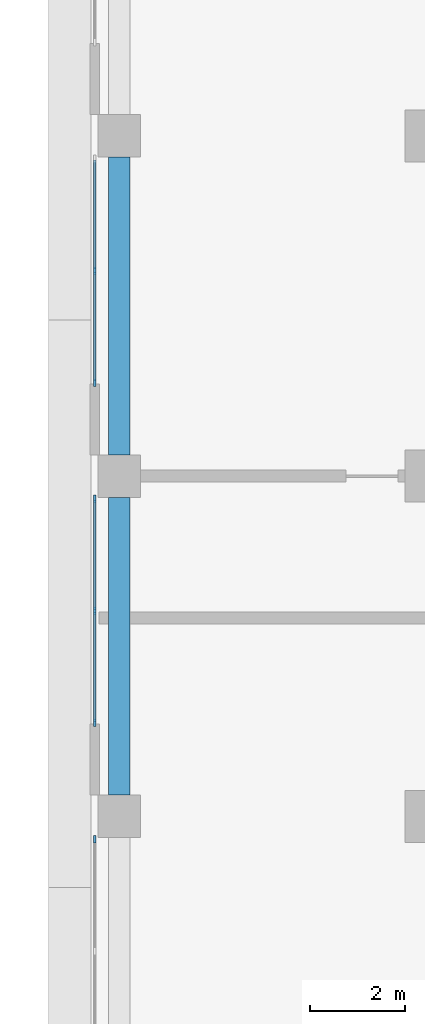
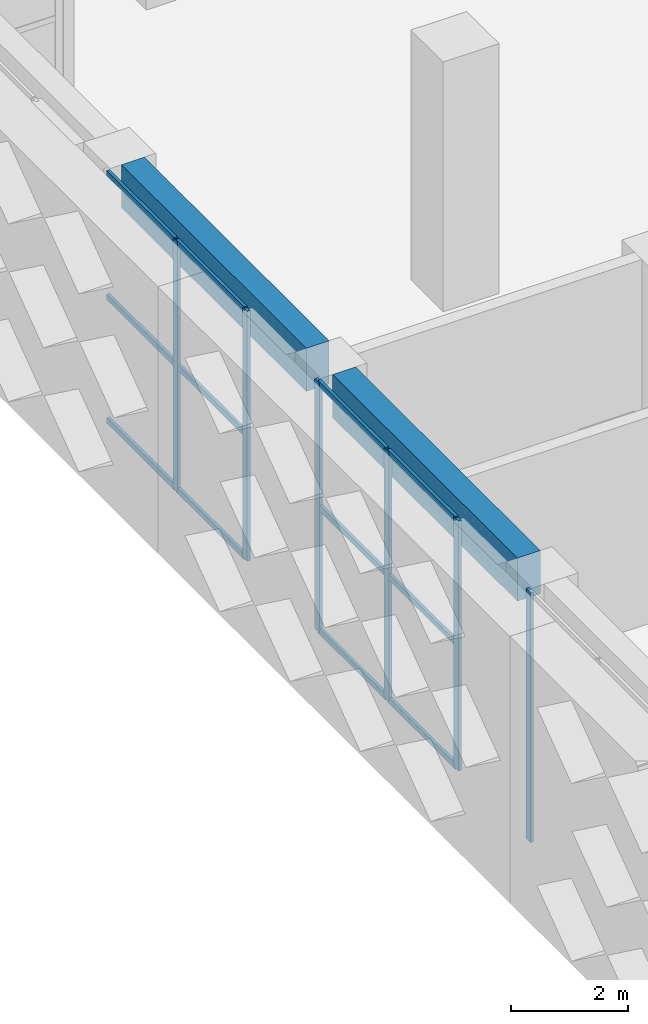
# One storey, part 4 of 25: 18 members, 2 beams, 3 elements without a shape of their own.
"""IFC4 building model written with IfcOpenShell, lengths in metres."""

from ifc_helpers import new_model, si_unit, direction, frame, origin, origin_2d, place, context, subcontext, project, spatial, rectangle, extrude, source, transform, mapped, material, layer, layer_set, material_profile, profile_set, type_object, element, aggregate, save


model = new_model("IFC4")

# Units and contexts
model_context = context("Model", 3, precision=1e-05, world=origin(), true_north=direction((0.0, 1.0)))
body_context = subcontext(model_context, "Body", "Model", "MODEL_VIEW")
ifc_project = project(units=[si_unit("LENGTHUNIT", "METRE"), si_unit("AREAUNIT", "SQUARE_METRE"), si_unit("VOLUMEUNIT", "CUBIC_METRE"), si_unit("PLANEANGLEUNIT", "RADIAN"), si_unit("MASSUNIT", "GRAM", prefix="KILO")], contexts=[model_context])

# Site, building, storey
site_placement = place(None, origin())
site = spatial("IfcSite", under=ifc_project, at=site_placement, CompositionType="ELEMENT")
building_placement = place(site_placement, origin())
building = spatial("IfcBuilding", under=site, at=building_placement, Name="Saffron Iwan Residences", CompositionType="ELEMENT")
storey_placement = place(building_placement, frame((0.0, 0.0, 137.5)))
storey = spatial("IfcBuildingStorey", under=building, at=storey_placement, Name="L36", CompositionType="ELEMENT", Elevation=137.5)

# Beams
ifc_material_1 = material(Name="Concrete C50/60", Category="concrete")
ifc_material_profile_1 = material_profile(ifc_material_1, rectangle(XDim=0.449951171875, YDim=0.89990234375, at=origin_2d()), Name="RC 450x900")
ifc_profile_set_1 = profile_set([ifc_material_profile_1], Name="Concrete C50/60")
beam_type = type_object("IfcBeamType", Name="SPANDREL BEAM RC 450x900 C50/60 TOP 5200", PredefinedType="SPANDREL", material=ifc_profile_set_1)
shared_shape_1 = source(origin(), body_context, "Body", "SweptSolid", [
    extrude(rectangle(XDim=0.449951171875, YDim=0.89990234375, at=origin_2d()), origin(), (0.0, 0.0, 1.0), 6.300048828125),
])
beam_1_placement = place(storey_placement, frame((15.0, 55.64990234375, 4.75), z_axis=(0.0, 1.0, 0.0), x_axis=(-1.0, 0.0, 0.0)))
element("IfcBeam", 1, at=beam_1_placement, inside=storey, type_object=beam_type, Name="Spandrel beam", PredefinedType="SPANDREL", context=body_context, shape_type="MappedRepresentation", body=[
    mapped(shared_shape_1, transform((0.0, 0.0, 0.0))),
])
shared_shape_2 = source(origin(), body_context, "Body", "SweptSolid", [
    extrude(rectangle(XDim=0.449951171875, YDim=0.89990234375, at=origin_2d()), origin(), (0.0, 0.0, 1.0), 6.2998046875),
])
beam_2_placement = place(storey_placement, frame((15.0, 62.85009765625, 4.75), z_axis=(0.0, 1.0, 0.0), x_axis=(-1.0, 0.0, 0.0)))
element("IfcBeam", 2, at=beam_2_placement, inside=storey, type_object=beam_type, Name="Spandrel beam", PredefinedType="SPANDREL", context=body_context, shape_type="MappedRepresentation", body=[
    mapped(shared_shape_2, transform((0.0, 0.0, 0.0))),
])

# Curtain wall, members
ifc_material_2 = material(Name="Clear glass, laminated double glazed", Category="glass")
ifc_layer = layer(ifc_material_2, 0.14990234375)
ifc_layer_set = layer_set([ifc_layer], Name="Clear glass, laminated double glazed")
curtain_wall_type = type_object("IfcCurtainWallType", Name="CW-C SKY LOBBY GLAZING", PredefinedType="NOTDEFINED", material=ifc_layer_set)
curtain_wall_1_placement = place(storey_placement, origin())
curtain_wall_1 = element("IfcCurtainWall", 3, at=curtain_wall_1_placement, inside=storey, type_object=curtain_wall_type, Name="Glazing L36 F8.1", PredefinedType="NOTDEFINED")
ifc_material_3 = material(Name="Aluminium 6063-T6", Category="aluminium")
ifc_material_profile_2 = material_profile(ifc_material_3, rectangle(XDim=0.06005859375, YDim=0.159912109375, at=origin_2d()), Name="CW-C MULLION 60 x 160")
ifc_profile_set_2 = profile_set([ifc_material_profile_2], Name="Aluminium 6063-T6")
member_type_1 = type_object("IfcMemberType", Name="CW-C MULLION 60 x 160", PredefinedType="MULLION", material=ifc_profile_set_2)
shared_shape_3 = source(origin(), body_context, "Body", "SweptSolid", [
    extrude(rectangle(XDim=0.06005859375, YDim=0.159912109375, at=origin_2d()), origin(), (0.0, 0.0, 1.0), 5.199951171875),
])
member_1_placement = place(storey_placement, frame((14.47998046875, 66.75, 0.0), z_axis=(0.0, 0.0, 1.0), x_axis=(1.0, 0.0, 0.0)))
member_1 = element("IfcMember", 4, at=member_1_placement, type_object=member_type_1, Name="CW-C mullion 2", PredefinedType="MULLION", context=body_context, shape_type="MappedRepresentation", body=[
    mapped(shared_shape_3, transform((0.0, 0.0, 0.0))),
])
member_2_placement = place(storey_placement, frame((14.47998046875, 64.3798828125, 0.0), z_axis=(0.0, 0.0, 1.0), x_axis=(1.0, 0.0, 0.0)))
member_2 = element("IfcMember", 5, at=member_2_placement, type_object=member_type_1, Name="CW-C mullion 3", PredefinedType="MULLION", context=body_context, shape_type="MappedRepresentation", body=[
    mapped(shared_shape_3, transform((0.0, 0.0, 0.0))),
])

curtain_wall_2_placement = place(storey_placement, origin())
curtain_wall_2 = element("IfcCurtainWall", 6, at=curtain_wall_2_placement, inside=storey, type_object=curtain_wall_type, Name="Glazing L36 F8.2", PredefinedType="NOTDEFINED")
member_3_placement = place(storey_placement, frame((14.47998046875, 61.919921875, 0.0), z_axis=(0.0, 0.0, 1.0), x_axis=(1.0, 0.0, 0.0)))
member_3 = element("IfcMember", 7, at=member_3_placement, type_object=member_type_1, Name="CW-C mullion 1", PredefinedType="MULLION", context=body_context, shape_type="MappedRepresentation", body=[
    mapped(shared_shape_3, transform((0.0, 0.0, 0.0))),
])
member_4_placement = place(storey_placement, frame((14.47998046875, 59.550048828125, 0.0), z_axis=(0.0, 0.0, 1.0), x_axis=(1.0, 0.0, 0.0)))
member_4 = element("IfcMember", 8, at=member_4_placement, type_object=member_type_1, Name="CW-C mullion 2", PredefinedType="MULLION", context=body_context, shape_type="MappedRepresentation", body=[
    mapped(shared_shape_3, transform((0.0, 0.0, 0.0))),
])
member_5_placement = place(storey_placement, frame((14.47998046875, 57.179931640625, 0.0), z_axis=(0.0, 0.0, 1.0), x_axis=(1.0, 0.0, 0.0)))
member_5 = element("IfcMember", 9, at=member_5_placement, type_object=member_type_1, Name="CW-C mullion 3", PredefinedType="MULLION", context=body_context, shape_type="MappedRepresentation", body=[
    mapped(shared_shape_3, transform((0.0, 0.0, 0.0))),
])

# Curtain wall, member
curtain_wall_3_placement = place(storey_placement, origin())
curtain_wall_3 = element("IfcCurtainWall", 10, at=curtain_wall_3_placement, inside=storey, type_object=curtain_wall_type, Name="Glazing L36 F8.3", PredefinedType="NOTDEFINED")
member_6_placement = place(storey_placement, frame((14.47998046875, 54.719970703125, 0.0), z_axis=(0.0, 0.0, 1.0), x_axis=(1.0, 0.0, 0.0)))
member_6 = element("IfcMember", 11, at=member_6_placement, type_object=member_type_1, Name="CW-C mullion 1", PredefinedType="MULLION", context=body_context, shape_type="MappedRepresentation", body=[
    mapped(shared_shape_3, transform((0.0, 0.0, 0.0))),
])
aggregate(curtain_wall_3, [member_6])

# Member
ifc_material_profile_3 = material_profile(ifc_material_3, rectangle(XDim=0.06005859375, YDim=0.1201171875, at=origin_2d()), Name="CW-C TRANSOM 60 x 120")
ifc_profile_set_3 = profile_set([ifc_material_profile_3], Name="Aluminium 6063-T6")
member_type_2 = type_object("IfcMemberType", Name="CW-C TRANSOM 60 x 120", PredefinedType="USERDEFINED", material=ifc_profile_set_3)
shared_shape_4 = source(origin(), body_context, "Body", "SweptSolid", [
    extrude(rectangle(XDim=0.06005859375, YDim=0.1201171875, at=origin_2d()), origin(), (0.0, 0.0, 1.0), 2.31005859375),
])
member_7_placement = place(storey_placement, frame((14.47998046875, 69.090087890625, 0.030029296875), z_axis=(0.0, -1.0, 0.0), x_axis=(1.0, 0.0, 0.0)))
member_7 = element("IfcMember", 12, at=member_7_placement, type_object=member_type_2, Name="CW-C transom 1.1", ObjectType="TRANSOM", PredefinedType="USERDEFINED", context=body_context, shape_type="MappedRepresentation", body=[
    mapped(shared_shape_4, transform((0.0, 0.0, 0.0))),
])

member_8_placement = place(storey_placement, frame((14.47998046875, 69.090087890625, 2.60009765625), z_axis=(0.0, -1.0, 0.0), x_axis=(1.0, 0.0, 0.0)))
member_8 = element("IfcMember", 13, at=member_8_placement, type_object=member_type_2, Name="CW-C transom 1.2", ObjectType="TRANSOM", PredefinedType="USERDEFINED", context=body_context, shape_type="MappedRepresentation", body=[
    mapped(shared_shape_4, transform((0.0, 0.0, 0.0))),
])

member_9_placement = place(storey_placement, frame((14.47998046875, 69.090087890625, 5.169921875), z_axis=(0.0, -1.0, 0.0), x_axis=(1.0, 0.0, 0.0)))
member_9 = element("IfcMember", 14, at=member_9_placement, type_object=member_type_2, Name="CW-C transom 1.3", ObjectType="TRANSOM", PredefinedType="USERDEFINED", context=body_context, shape_type="MappedRepresentation", body=[
    mapped(shared_shape_4, transform((0.0, 0.0, 0.0))),
])

member_10_placement = place(storey_placement, frame((14.47998046875, 66.719970703125, 0.030029296875), z_axis=(0.0, -1.0, 0.0), x_axis=(1.0, 0.0, 0.0)))
member_10 = element("IfcMember", 15, at=member_10_placement, type_object=member_type_2, Name="CW-C transom 2.1", ObjectType="TRANSOM", PredefinedType="USERDEFINED", context=body_context, shape_type="MappedRepresentation", body=[
    mapped(shared_shape_4, transform((0.0, 0.0, 0.0))),
])

member_11_placement = place(storey_placement, frame((14.47998046875, 66.719970703125, 2.60009765625), z_axis=(0.0, -1.0, 0.0), x_axis=(1.0, 0.0, 0.0)))
member_11 = element("IfcMember", 16, at=member_11_placement, type_object=member_type_2, Name="CW-C transom 2.2", ObjectType="TRANSOM", PredefinedType="USERDEFINED", context=body_context, shape_type="MappedRepresentation", body=[
    mapped(shared_shape_4, transform((0.0, 0.0, 0.0))),
])

member_12_placement = place(storey_placement, frame((14.47998046875, 66.719970703125, 5.169921875), z_axis=(0.0, -1.0, 0.0), x_axis=(1.0, 0.0, 0.0)))
member_12 = element("IfcMember", 17, at=member_12_placement, type_object=member_type_2, Name="CW-C transom 2.3", ObjectType="TRANSOM", PredefinedType="USERDEFINED", context=body_context, shape_type="MappedRepresentation", body=[
    mapped(shared_shape_4, transform((0.0, 0.0, 0.0))),
])

aggregate(curtain_wall_1, [member_1, member_2, member_7, member_8, member_9, member_10, member_11, member_12])

member_13_placement = place(storey_placement, frame((14.47998046875, 59.52001953125, 0.030029296875), z_axis=(0.0, -1.0, 0.0), x_axis=(1.0, 0.0, 0.0)))
member_13 = element("IfcMember", 18, at=member_13_placement, type_object=member_type_2, Name="CW-C transom 2.1", ObjectType="TRANSOM", PredefinedType="USERDEFINED", context=body_context, shape_type="MappedRepresentation", body=[
    mapped(shared_shape_4, transform((0.0, 0.0, 0.0))),
])

member_14_placement = place(storey_placement, frame((14.47998046875, 59.52001953125, 2.60009765625), z_axis=(0.0, -1.0, 0.0), x_axis=(1.0, 0.0, 0.0)))
member_14 = element("IfcMember", 19, at=member_14_placement, type_object=member_type_2, Name="CW-C transom 2.2", ObjectType="TRANSOM", PredefinedType="USERDEFINED", context=body_context, shape_type="MappedRepresentation", body=[
    mapped(shared_shape_4, transform((0.0, 0.0, 0.0))),
])

member_15_placement = place(storey_placement, frame((14.47998046875, 59.52001953125, 5.169921875), z_axis=(0.0, -1.0, 0.0), x_axis=(1.0, 0.0, 0.0)))
member_15 = element("IfcMember", 20, at=member_15_placement, type_object=member_type_2, Name="CW-C transom 2.3", ObjectType="TRANSOM", PredefinedType="USERDEFINED", context=body_context, shape_type="MappedRepresentation", body=[
    mapped(shared_shape_4, transform((0.0, 0.0, 0.0))),
])

shared_shape_5 = source(origin(), body_context, "Body", "SweptSolid", [
    extrude(rectangle(XDim=0.06005859375, YDim=0.1201171875, at=origin_2d()), origin(), (0.0, 0.0, 1.0), 2.309814453125),
])
member_16_placement = place(storey_placement, frame((14.47998046875, 61.889892578125, 0.030029296875), z_axis=(0.0, -1.0, 0.0), x_axis=(1.0, 0.0, 0.0)))
member_16 = element("IfcMember", 21, at=member_16_placement, type_object=member_type_2, Name="CW-C transom 1.1", ObjectType="TRANSOM", PredefinedType="USERDEFINED", context=body_context, shape_type="MappedRepresentation", body=[
    mapped(shared_shape_5, transform((0.0, 0.0, 0.0))),
])

member_17_placement = place(storey_placement, frame((14.47998046875, 61.889892578125, 2.60009765625), z_axis=(0.0, -1.0, 0.0), x_axis=(1.0, 0.0, 0.0)))
member_17 = element("IfcMember", 22, at=member_17_placement, type_object=member_type_2, Name="CW-C transom 1.2", ObjectType="TRANSOM", PredefinedType="USERDEFINED", context=body_context, shape_type="MappedRepresentation", body=[
    mapped(shared_shape_5, transform((0.0, 0.0, 0.0))),
])

member_18_placement = place(storey_placement, frame((14.47998046875, 61.889892578125, 5.169921875), z_axis=(0.0, -1.0, 0.0), x_axis=(1.0, 0.0, 0.0)))
member_18 = element("IfcMember", 23, at=member_18_placement, type_object=member_type_2, Name="CW-C transom 1.3", ObjectType="TRANSOM", PredefinedType="USERDEFINED", context=body_context, shape_type="MappedRepresentation", body=[
    mapped(shared_shape_5, transform((0.0, 0.0, 0.0))),
])

aggregate(curtain_wall_2, [member_3, member_4, member_5, member_16, member_17, member_18, member_13, member_14, member_15])

save(model, "model.ifc")
